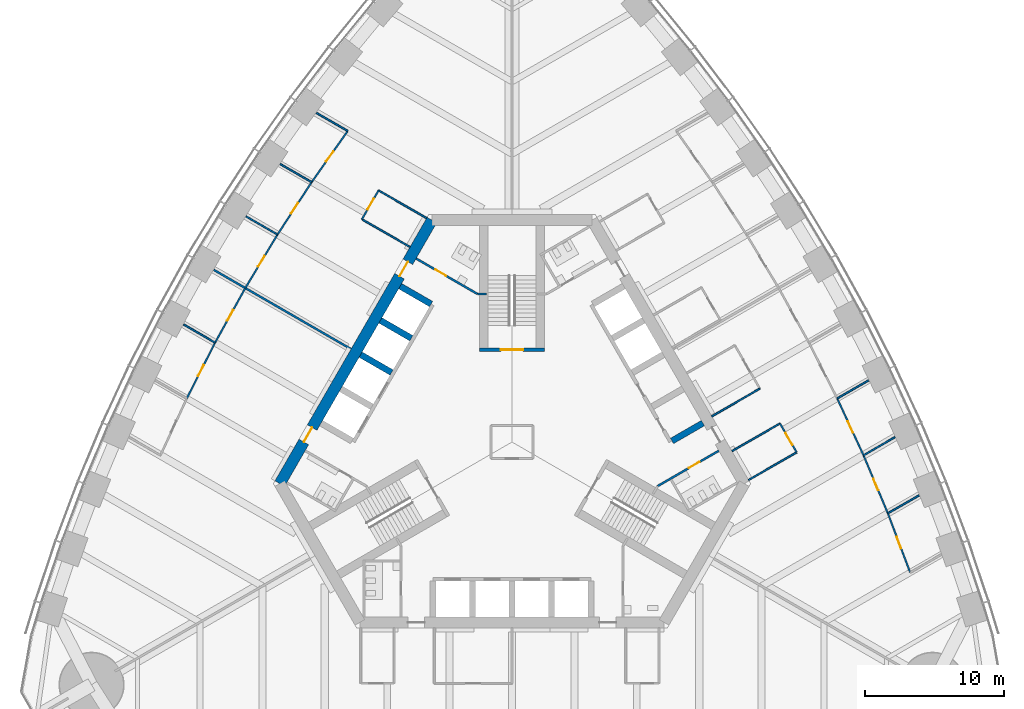
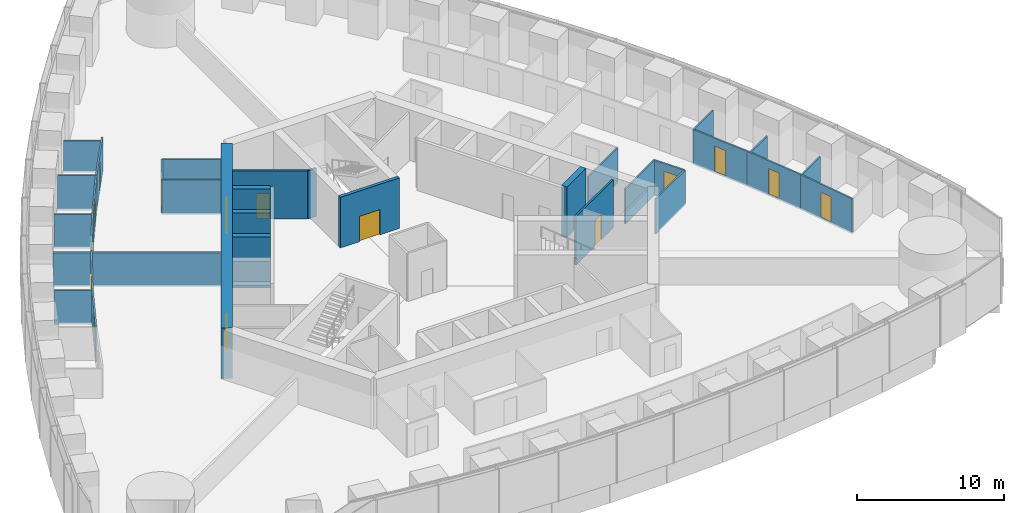
# One storey, part 12 of 19: 32 walls, 15 doors, 15 openings.
"""IFC4 building model written with IfcOpenShell, lengths in metres."""

from ifc_helpers import new_model, si_unit, direction, frame, frame_2d, origin, place, context, subcontext, project, spatial, rectangle, extrude, material, layer, layer_set, type_object, element, fill, save


model = new_model("IFC4")

# Units and contexts
model_context = context("Model", 3, precision=1e-05, world=origin(), true_north=direction((0.0, 1.0)))
body_context = subcontext(model_context, "Body", "Model", "MODEL_VIEW")
ifc_project = project(units=[si_unit("LENGTHUNIT", "METRE"), si_unit("AREAUNIT", "SQUARE_METRE"), si_unit("VOLUMEUNIT", "CUBIC_METRE"), si_unit("PLANEANGLEUNIT", "RADIAN"), si_unit("MASSUNIT", "GRAM", prefix="KILO")], contexts=[model_context])

# Site, building, storey
site_placement = place(None, origin())
site = spatial("IfcSite", under=ifc_project, at=site_placement, CompositionType="ELEMENT")
building_placement = place(site_placement, origin())
building = spatial("IfcBuilding", under=site, at=building_placement, Name="Trefoil Bronze Tower", CompositionType="ELEMENT")
storey_placement = place(building_placement, frame((0.0, 0.0, 107.300048828125)))
storey = spatial("IfcBuildingStorey", under=building, at=storey_placement, Name="L24", CompositionType="ELEMENT", Elevation=107.300048828125)

# Wall, openings, doors
ifc_material_1 = material(Name="Concrete B80", Category="concrete")
ifc_layer_1 = layer(ifc_material_1, 0.800048828125)
ifc_layer_set_1 = layer_set([ifc_layer_1], Name="Core wall 800")
wall_type_1 = type_object("IfcWallType", Name="Core wall 800", PredefinedType="SHEAR", material=ifc_layer_set_1)
wall_1_placement = place(storey_placement, frame((-5.7734375, 16.0, 0.0), z_axis=(0.0, 0.0, 1.0), x_axis=(-0.500002442456, -0.866023993627, 0.0)))
wall_1 = element("IfcWall", 1, at=wall_1_placement, inside=storey, type_object=wall_type_1, Name="Core long wall 3 L24", PredefinedType="SHEAR", context=body_context, shape_type="SweptSolid", body=[
    extrude(rectangle(XDim=21.939453125, YDim=0.800048828125, at=frame_2d((10.9697265625, 0.0))), origin(), (0.0, 0.0, 1.0), 4.199951171875),
])
opening_1_placement = place(wall_1_placement, frame((17.269775390625, 0.0, 0.0)))
opening_1 = element("IfcOpeningElement", 2, at=opening_1_placement, cuts=wall_1, Name="Opening D2", PredefinedType="OPENING", context=body_context, shape_type="SweptSolid", body=[
    extrude(rectangle(XDim=1.199951171875, YDim=2.10009765625, at=frame_2d((0.60009765625, 1.050048828125))), frame((0.0, 0.409912109375, 0.0), z_axis=(0.0, -1.0, 0.0), x_axis=(1.0, 0.0, 0.0)), (0.0, 0.0, 1.0), 0.820068359375),
])
opening_2_placement = place(wall_1_placement, frame((3.4697265625, 0.0, 0.0)))
opening_2 = element("IfcOpeningElement", 3, at=opening_2_placement, cuts=wall_1, Name="Opening D2", PredefinedType="OPENING", context=body_context, shape_type="SweptSolid", body=[
    extrude(rectangle(XDim=1.199951171875, YDim=2.10009765625, at=frame_2d((0.60009765625, 1.050048828125))), frame((0.0, 0.409912109375, 0.0), z_axis=(0.0, -1.0, 0.0), x_axis=(1.0, 0.0, 0.0)), (0.0, 0.0, 1.0), 0.820068359375),
])
ifc_material_2 = material(Name="Steel door", Category="steel")
door_type_1 = type_object("IfcDoorType", Name="Lobby door 1200", OperationType="SINGLE_SWING_RIGHT", PredefinedType="DOOR", material=ifc_material_2)
door_1_placement = place(opening_1_placement, origin())
door_1 = element("IfcDoor", 4, at=door_1_placement, inside=storey, type_object=door_type_1, Name="Lobby door F3+ L24", OperationType="SINGLE_SWING_RIGHT", OverallHeight=2.10009765625, OverallWidth=1.199951171875, PredefinedType="DOOR", context=body_context, shape_type="SweptSolid", body=[
    extrude(rectangle(XDim=1.199951171875, YDim=2.10009765625, at=frame_2d((0.60009765625, 1.050048828125))), frame((0.0, 0.02490234375, 0.0), z_axis=(0.0, -1.0, 0.0), x_axis=(1.0, 0.0, 0.0)), (0.0, 0.0, 1.0), 0.050048828125),
])
fill(opening_1, door_1)
door_2_placement = place(opening_2_placement, origin())
door_2 = element("IfcDoor", 5, at=door_2_placement, inside=storey, type_object=door_type_1, Name="Lobby door F3- L24", OperationType="SINGLE_SWING_LEFT", OverallHeight=2.10009765625, OverallWidth=1.199951171875, PredefinedType="DOOR", context=body_context, shape_type="SweptSolid", body=[
    extrude(rectangle(XDim=1.199951171875, YDim=2.10009765625, at=frame_2d((0.60009765625, 1.050048828125))), frame((0.0, 0.02490234375, 0.0), z_axis=(0.0, -1.0, 0.0), x_axis=(1.0, 0.0, 0.0)), (0.0, 0.0, 1.0), 0.050048828125),
])
fill(opening_2, door_2)

# Wall, opening, door
ifc_material_3 = material(Name="Glazed partition", Category="glass")
ifc_layer_2 = layer(ifc_material_3, 0.1201171875)
ifc_layer_set_2 = layer_set([ifc_layer_2], Name="Glazed partition 120")
wall_type_2 = type_object("IfcWallType", Name="Glazed partition 120", PredefinedType="PARTITIONING", material=ifc_layer_set_2)
wall_2_placement = place(storey_placement, frame((20.518798828125, -0.73974609375, 0.0), z_axis=(0.0, 0.0, 1.0), x_axis=(-0.499957262057, 0.866050077142, 0.0)))
wall_2 = element("IfcWall", 6, at=wall_2_placement, inside=storey, type_object=wall_type_2, Name="Partition F2 L24", PredefinedType="PARTITIONING", context=body_context, shape_type="SweptSolid", body=[
    extrude(rectangle(XDim=2.400146484375, YDim=0.1201171875, at=frame_2d((1.2001953125, 0.0))), origin(), (0.0, 0.0, 1.0), 2.89990234375),
])
opening_3_placement = place(wall_2_placement, frame((0.60009765625, 0.0, 0.14990234375)))
opening_3 = element("IfcOpeningElement", 7, at=opening_3_placement, cuts=wall_2, Name="Opening D9", PredefinedType="OPENING", context=body_context, shape_type="SweptSolid", body=[
    extrude(rectangle(XDim=1.0, YDim=2.10009765625, at=frame_2d((0.5, 1.050048828125))), frame((0.0, 0.070068359375, 0.0), z_axis=(0.0, -1.0, 0.0), x_axis=(1.0, 0.0, 0.0)), (0.0, 0.0, 1.0), 0.14013671875),
])
ifc_material_4 = material(Name="Glazed timber door", Category="wood")
door_type_2 = type_object("IfcDoorType", Name="Meeting room door 1000", OperationType="SINGLE_SWING_LEFT", PredefinedType="DOOR", material=ifc_material_4)
door_3_placement = place(opening_3_placement, origin())
door_3 = element("IfcDoor", 8, at=door_3_placement, inside=storey, type_object=door_type_2, Name="Project room door F2 L24", OperationType="SINGLE_SWING_LEFT", OverallHeight=2.10009765625, OverallWidth=1.0, PredefinedType="DOOR", context=body_context, shape_type="SweptSolid", body=[
    extrude(rectangle(XDim=1.0, YDim=2.10009765625, at=frame_2d((0.5, 1.050048828125))), frame((0.0, 0.02490234375, 0.0), z_axis=(0.0, -1.0, 0.0), x_axis=(1.0, 0.0, 0.0)), (0.0, 0.0, 1.0), 0.050048828125),
])
fill(opening_3, door_3)

# Walls
for number, where, z_axis, x_axis, name in (
    (9, (17.0546875, -2.73974609375, 0.0), (0.0, 0.0, 1.0), (0.866026010844, 0.49999894854, 0.0), "Partition F2 L24"),
    (10, (14.40478515625, 1.850341796875, 0.0), (0.0, 0.0, 1.0), (0.866026010844, 0.49999894854, 0.0), "Partition F2 L24"),
    (11, (15.854736328125, -0.6611328125, 0.0), (0.0, 0.0, 1.0), (0.866026010844, 0.49999894854, 0.0), "Partition F2 L24"),
):
    element("IfcWall", number, at=place(storey_placement, frame(where, z_axis=z_axis, x_axis=x_axis)), inside=storey, type_object=wall_type_2, Name=name, PredefinedType="PARTITIONING", context=body_context, shape_type="SweptSolid", body=[
        extrude(rectangle(XDim=4.0, YDim=0.1201171875, at=frame_2d((2.0, 0.0))), origin(), (0.0, 0.0, 1.0), 2.89990234375),
    ])

# Wall, opening, door
wall_3_placement = place(storey_placement, frame((25.341552734375, -0.95751953125, 0.0), z_axis=(0.0, 0.0, 1.0), x_axis=(-0.419883773418, 0.907577884713, 0.0)))
wall_3 = element("IfcWall", 12, at=wall_3_placement, inside=storey, type_object=wall_type_2, Name="Partition F2 L24", PredefinedType="PARTITIONING", context=body_context, shape_type="SweptSolid", body=[
    extrude(rectangle(XDim=4.5185546875, YDim=0.1201171875, at=frame_2d((2.25927734375, 0.0))), origin(), (0.0, 0.0, 1.0), 2.89990234375),
])
opening_4_placement = place(wall_3_placement, frame((1.800048828125, 0.0, 0.14990234375)))
opening_4 = element("IfcOpeningElement", 13, at=opening_4_placement, cuts=wall_3, Name="Opening D8", PredefinedType="OPENING", context=body_context, shape_type="SweptSolid", body=[
    extrude(rectangle(XDim=0.89990234375, YDim=2.10009765625, at=frame_2d((0.449951171875, 1.050048828125))), frame((0.0, 0.070068359375, 0.0), z_axis=(0.0, -1.0, 0.0), x_axis=(1.0, 0.0, 0.0)), (0.0, 0.0, 1.0), 0.14013671875),
])
ifc_material_5 = material(Name="Timber door", Category="wood")
door_type_3 = type_object("IfcDoorType", Name="Office door 900", OperationType="SINGLE_SWING_LEFT", PredefinedType="DOOR", material=ifc_material_5)
door_4_placement = place(opening_4_placement, frame((0.89990234375, 0.0, 0.0), z_axis=(0.0, 0.0, 1.0), x_axis=(-1.0, 0.0, 0.0)))
door_4 = element("IfcDoor", 14, at=door_4_placement, inside=storey, type_object=door_type_3, Name="Office door F2 L24", OperationType="SINGLE_SWING_RIGHT", OverallHeight=2.10009765625, OverallWidth=0.89990234375, PredefinedType="DOOR", context=body_context, shape_type="SweptSolid", body=[
    extrude(rectangle(XDim=0.89990234375, YDim=2.10009765625, at=frame_2d((0.449951171875, 1.050048828125))), frame((0.0, 0.02490234375, 0.0), z_axis=(0.0, -1.0, 0.0), x_axis=(1.0, 0.0, 0.0)), (0.0, 0.0, 1.0), 0.050048828125),
])
fill(opening_4, door_4)

wall_4_placement = place(storey_placement, frame((27.09619140625, -5.140625, 0.0), z_axis=(0.0, 0.0, 1.0), x_axis=(-0.386807881778, 0.922160323693, 0.0)))
wall_4 = element("IfcWall", 15, at=wall_4_placement, inside=storey, type_object=wall_type_2, Name="Partition F2 L24", PredefinedType="PARTITIONING", context=body_context, shape_type="SweptSolid", body=[
    extrude(rectangle(XDim=4.5361328125, YDim=0.1201171875, at=frame_2d((2.26806640625, 0.0))), origin(), (0.0, 0.0, 1.0), 2.89990234375),
])
opening_5_placement = place(wall_4_placement, frame((1.800048828125, 0.0, 0.14990234375)))
opening_5 = element("IfcOpeningElement", 16, at=opening_5_placement, cuts=wall_4, Name="Opening D8", PredefinedType="OPENING", context=body_context, shape_type="SweptSolid", body=[
    extrude(rectangle(XDim=0.89990234375, YDim=2.10009765625, at=frame_2d((0.449951171875, 1.050048828125))), frame((0.0, 0.070068359375, 0.0), z_axis=(0.0, -1.0, 0.0), x_axis=(1.0, 0.0, 0.0)), (0.0, 0.0, 1.0), 0.14013671875),
])
door_5_placement = place(opening_5_placement, frame((0.89990234375, 0.0, 0.0), z_axis=(0.0, 0.0, 1.0), x_axis=(-1.0, 0.0, 0.0)))
door_5 = element("IfcDoor", 17, at=door_5_placement, inside=storey, type_object=door_type_3, Name="Office door F2 L24", OperationType="SINGLE_SWING_RIGHT", OverallHeight=2.10009765625, OverallWidth=0.89990234375, PredefinedType="DOOR", context=body_context, shape_type="SweptSolid", body=[
    extrude(rectangle(XDim=0.89990234375, YDim=2.10009765625, at=frame_2d((0.449951171875, 1.050048828125))), frame((0.0, 0.02490234375, 0.0), z_axis=(0.0, -1.0, 0.0), x_axis=(1.0, 0.0, 0.0)), (0.0, 0.0, 1.0), 0.050048828125),
])
fill(opening_5, door_5)

wall_5_placement = place(storey_placement, frame((28.70556640625, -9.40771484375, 0.0), z_axis=(0.0, 0.0, 1.0), x_axis=(-0.352894560512, 0.93566309597, 0.0)))
wall_5 = element("IfcWall", 18, at=wall_5_placement, inside=storey, type_object=wall_type_2, Name="Partition F2 L24", PredefinedType="PARTITIONING", context=body_context, shape_type="SweptSolid", body=[
    extrude(rectangle(XDim=4.560546875, YDim=0.1201171875, at=frame_2d((2.2802734375, 0.0))), origin(), (0.0, 0.0, 1.0), 2.89990234375),
])
opening_6_placement = place(wall_5_placement, frame((1.85009765625, 0.0, 0.14990234375)))
opening_6 = element("IfcOpeningElement", 19, at=opening_6_placement, cuts=wall_5, Name="Opening D8", PredefinedType="OPENING", context=body_context, shape_type="SweptSolid", body=[
    extrude(rectangle(XDim=0.89990234375, YDim=2.10009765625, at=frame_2d((0.449951171875, 1.050048828125))), frame((0.0, 0.070068359375, 0.0), z_axis=(0.0, -1.0, 0.0), x_axis=(1.0, 0.0, 0.0)), (0.0, 0.0, 1.0), 0.14013671875),
])
door_6_placement = place(opening_6_placement, frame((0.89990234375, 0.0, 0.0), z_axis=(0.0, 0.0, 1.0), x_axis=(-1.0, 0.0, 0.0)))
door_6 = element("IfcDoor", 20, at=door_6_placement, inside=storey, type_object=door_type_3, Name="Office door F2 L24", OperationType="SINGLE_SWING_LEFT", OverallHeight=2.10009765625, OverallWidth=0.89990234375, PredefinedType="DOOR", context=body_context, shape_type="SweptSolid", body=[
    extrude(rectangle(XDim=0.89990234375, YDim=2.10009765625, at=frame_2d((0.449951171875, 1.050048828125))), frame((0.0, 0.02490234375, 0.0), z_axis=(0.0, -1.0, 0.0), x_axis=(1.0, 0.0, 0.0)), (0.0, 0.0, 1.0), 0.050048828125),
])
fill(opening_6, door_6)

# Walls
wall_6_placement = place(storey_placement, frame((25.341552734375, -0.95751953125, 0.0), z_axis=(0.0, 0.0, 1.0), x_axis=(0.866036074319, 0.499981517636, 0.0)))
element("IfcWall", 21, at=wall_6_placement, inside=storey, type_object=wall_type_2, Name="Partition F2 L24", PredefinedType="PARTITIONING", context=body_context, shape_type="SweptSolid", body=[
    extrude(rectangle(XDim=2.6103515625, YDim=0.1201171875, at=frame_2d((1.30517578125, 0.0))), origin(), (0.0, 0.0, 1.0), 2.599853515625),
])
wall_7_placement = place(storey_placement, frame((27.09619140625, -5.140625, 0.0), z_axis=(0.0, 0.0, 1.0), x_axis=(0.866012205188, 0.500022859943, 0.0)))
element("IfcWall", 22, at=wall_7_placement, inside=storey, type_object=wall_type_2, Name="Partition F2 L24", PredefinedType="PARTITIONING", context=body_context, shape_type="SweptSolid", body=[
    extrude(rectangle(XDim=2.60302734375, YDim=0.1201171875, at=frame_2d((1.301513671875, 0.0))), origin(), (0.0, 0.0, 1.0), 2.800048828125),
])
wall_8_placement = place(storey_placement, frame((23.4443359375, 3.143310546875, 0.0), z_axis=(0.0, 0.0, 1.0), x_axis=(0.866011491631, 0.500024095782, 0.0)))
element("IfcWall", 23, at=wall_8_placement, inside=storey, type_object=wall_type_2, Name="Partition F2 L24", PredefinedType="PARTITIONING", context=body_context, shape_type="SweptSolid", body=[
    extrude(rectangle(XDim=2.615478515625, YDim=0.1201171875, at=frame_2d((1.3076171875, 0.0))), origin(), (0.0, 0.0, 1.0), 2.89990234375),
])

# Wall, opening, door
wall_9_placement = place(storey_placement, frame((-9.618896484375, 18.1396484375, 0.0), z_axis=(0.0, 0.0, 1.0), x_axis=(-0.500001309137, -0.866024647952, 0.0)))
wall_9 = element("IfcWall", 24, at=wall_9_placement, inside=storey, type_object=wall_type_2, Name="Partition F3 L24", PredefinedType="PARTITIONING", context=body_context, shape_type="SweptSolid", body=[
    extrude(rectangle(XDim=2.39990234375, YDim=0.1201171875, at=frame_2d((1.199951171875, 0.0))), origin(), (0.0, 0.0, 1.0), 2.89990234375),
])
opening_7_placement = place(wall_9_placement, frame((0.699951171875, 0.0, 0.14990234375)))
opening_7 = element("IfcOpeningElement", 25, at=opening_7_placement, cuts=wall_9, Name="Opening D8", PredefinedType="OPENING", context=body_context, shape_type="SweptSolid", body=[
    extrude(rectangle(XDim=0.89990234375, YDim=2.10009765625, at=frame_2d((0.449951171875, 1.050048828125))), frame((0.0, 0.070068359375, 0.0), z_axis=(0.0, -1.0, 0.0), x_axis=(1.0, 0.0, 0.0)), (0.0, 0.0, 1.0), 0.14013671875),
])
door_7_placement = place(opening_7_placement, origin())
door_7 = element("IfcDoor", 26, at=door_7_placement, inside=storey, type_object=door_type_3, Name="Comms room door F3 L24", OperationType="SINGLE_SWING_LEFT", OverallHeight=2.10009765625, OverallWidth=0.89990234375, PredefinedType="DOOR", context=body_context, shape_type="SweptSolid", body=[
    extrude(rectangle(XDim=0.89990234375, YDim=2.10009765625, at=frame_2d((0.449951171875, 1.050048828125))), frame((0.0, 0.02490234375, 0.0), z_axis=(0.0, -1.0, 0.0), x_axis=(1.0, 0.0, 0.0)), (0.0, 0.0, 1.0), 0.050048828125),
])
fill(opening_7, door_7)

# Walls
for number, where, z_axis, x_axis, name in (
    (27, (-6.15478515625, 16.1396484375, 0.0), (0.0, 0.0, 1.0), (-0.866026010844, 0.49999894854, 0.0), "Partition F3 L24"),
    (28, (-7.354736328125, 14.061279296875, 0.0), (0.0, 0.0, 1.0), (-0.866026010844, 0.49999894854, 0.0), "Partition F3 L24"),
):
    element("IfcWall", number, at=place(storey_placement, frame(where, z_axis=z_axis, x_axis=x_axis)), inside=storey, type_object=wall_type_2, Name=name, PredefinedType="PARTITIONING", context=body_context, shape_type="SweptSolid", body=[
        extrude(rectangle(XDim=4.0, YDim=0.1201171875, at=frame_2d((2.0, 0.0))), origin(), (0.0, 0.0, 1.0), 2.89990234375),
    ])

# Wall, opening, door
wall_10_placement = place(storey_placement, frame((-19.2255859375, 11.099853515625, 0.0), z_axis=(0.0, 0.0, 1.0), x_axis=(-0.484292898211, -0.874905931368, 0.0)))
wall_10 = element("IfcWall", 29, at=wall_10_placement, inside=storey, type_object=wall_type_2, Name="Partition F3 L24", PredefinedType="PARTITIONING", context=body_context, shape_type="SweptSolid", body=[
    extrude(rectangle(XDim=4.500732421875, YDim=0.1201171875, at=frame_2d((2.25048828125, 0.0))), origin(), (0.0, 0.0, 1.0), 2.89990234375),
])
opening_8_placement = place(wall_10_placement, frame((1.800048828125, 0.0, 0.14990234375)))
opening_8 = element("IfcOpeningElement", 30, at=opening_8_placement, cuts=wall_10, Name="Opening D8", PredefinedType="OPENING", context=body_context, shape_type="SweptSolid", body=[
    extrude(rectangle(XDim=0.89990234375, YDim=2.10009765625, at=frame_2d((0.449951171875, 1.050048828125))), frame((0.0, 0.070068359375, 0.0), z_axis=(0.0, -1.0, 0.0), x_axis=(1.0, 0.0, 0.0)), (0.0, 0.0, 1.0), 0.14013671875),
])
door_8_placement = place(opening_8_placement, frame((0.89990234375, 0.0, 0.0), z_axis=(0.0, 0.0, 1.0), x_axis=(-1.0, 0.0, 0.0)))
door_8 = element("IfcDoor", 31, at=door_8_placement, inside=storey, type_object=door_type_3, Name="Office door F3 L24", OperationType="SINGLE_SWING_RIGHT", OverallHeight=2.10009765625, OverallWidth=0.89990234375, PredefinedType="DOOR", context=body_context, shape_type="SweptSolid", body=[
    extrude(rectangle(XDim=0.89990234375, YDim=2.10009765625, at=frame_2d((0.449951171875, 1.050048828125))), frame((0.0, 0.02490234375, 0.0), z_axis=(0.0, -1.0, 0.0), x_axis=(1.0, 0.0, 0.0)), (0.0, 0.0, 1.0), 0.050048828125),
])
fill(opening_8, door_8)

wall_11_placement = place(storey_placement, frame((-21.4052734375, 7.162109375, 0.0), z_axis=(0.0, 0.0, 1.0), x_axis=(-0.452471679136, -0.891778772779, 0.0)))
wall_11 = element("IfcWall", 32, at=wall_11_placement, inside=storey, type_object=wall_type_2, Name="Partition F3 L24", PredefinedType="PARTITIONING", context=body_context, shape_type="SweptSolid", body=[
    extrude(rectangle(XDim=4.506591796875, YDim=0.1201171875, at=frame_2d((2.25341796875, 0.0))), origin(), (0.0, 0.0, 1.0), 2.89990234375),
])
opening_9_placement = place(wall_11_placement, frame((1.800048828125, 0.0, 0.14990234375)))
opening_9 = element("IfcOpeningElement", 33, at=opening_9_placement, cuts=wall_11, Name="Opening D8", PredefinedType="OPENING", context=body_context, shape_type="SweptSolid", body=[
    extrude(rectangle(XDim=0.89990234375, YDim=2.10009765625, at=frame_2d((0.449951171875, 1.050048828125))), frame((0.0, 0.070068359375, 0.0), z_axis=(0.0, -1.0, 0.0), x_axis=(1.0, 0.0, 0.0)), (0.0, 0.0, 1.0), 0.14013671875),
])
door_9_placement = place(opening_9_placement, frame((0.89990234375, 0.0, 0.0), z_axis=(0.0, 0.0, 1.0), x_axis=(-1.0, 0.0, 0.0)))
door_9 = element("IfcDoor", 34, at=door_9_placement, inside=storey, type_object=door_type_3, Name="Office door F3 L24", OperationType="SINGLE_SWING_RIGHT", OverallHeight=2.10009765625, OverallWidth=0.89990234375, PredefinedType="DOOR", context=body_context, shape_type="SweptSolid", body=[
    extrude(rectangle(XDim=0.89990234375, YDim=2.10009765625, at=frame_2d((0.449951171875, 1.050048828125))), frame((0.0, 0.02490234375, 0.0), z_axis=(0.0, -1.0, 0.0), x_axis=(1.0, 0.0, 0.0)), (0.0, 0.0, 1.0), 0.050048828125),
])
fill(opening_9, door_9)

wall_12_placement = place(storey_placement, frame((-11.841552734375, 22.42529296875, 0.0), z_axis=(0.0, 0.0, 1.0), x_axis=(-0.576023283708, -0.817433285734, 0.0)))
wall_12 = element("IfcWall", 35, at=wall_12_placement, inside=storey, type_object=wall_type_2, Name="Partition F3 L24", PredefinedType="PARTITIONING", context=body_context, shape_type="SweptSolid", body=[
    extrude(rectangle(XDim=4.5185546875, YDim=0.1201171875, at=frame_2d((2.25927734375, 0.0))), origin(), (0.0, 0.0, 1.0), 2.89990234375),
])
opening_10_placement = place(wall_12_placement, frame((1.800048828125, 0.0, 0.14990234375)))
opening_10 = element("IfcOpeningElement", 36, at=opening_10_placement, cuts=wall_12, Name="Opening D8", PredefinedType="OPENING", context=body_context, shape_type="SweptSolid", body=[
    extrude(rectangle(XDim=0.89990234375, YDim=2.10009765625, at=frame_2d((0.449951171875, 1.050048828125))), frame((0.0, 0.070068359375, 0.0), z_axis=(0.0, -1.0, 0.0), x_axis=(1.0, 0.0, 0.0)), (0.0, 0.0, 1.0), 0.14013671875),
])
door_10_placement = place(opening_10_placement, frame((0.89990234375, 0.0, 0.0), z_axis=(0.0, 0.0, 1.0), x_axis=(-1.0, 0.0, 0.0)))
door_10 = element("IfcDoor", 37, at=door_10_placement, inside=storey, type_object=door_type_3, Name="Office door F3 L24", OperationType="SINGLE_SWING_RIGHT", OverallHeight=2.10009765625, OverallWidth=0.89990234375, PredefinedType="DOOR", context=body_context, shape_type="SweptSolid", body=[
    extrude(rectangle(XDim=0.89990234375, YDim=2.10009765625, at=frame_2d((0.449951171875, 1.050048828125))), frame((0.0, 0.02490234375, 0.0), z_axis=(0.0, -1.0, 0.0), x_axis=(1.0, 0.0, 0.0)), (0.0, 0.0, 1.0), 0.050048828125),
])
fill(opening_10, door_10)

wall_13_placement = place(storey_placement, frame((-16.9052734375, 14.956298828125, 0.0), z_axis=(0.0, 0.0, 1.0), x_axis=(-0.515548366618, -0.856860479703, 0.0)))
wall_13 = element("IfcWall", 38, at=wall_13_placement, inside=storey, type_object=wall_type_2, Name="Partition F3 L24", PredefinedType="PARTITIONING", context=body_context, shape_type="SweptSolid", body=[
    extrude(rectangle(XDim=4.500732421875, YDim=0.1201171875, at=frame_2d((2.25048828125, 0.0))), origin(), (0.0, 0.0, 1.0), 2.89990234375),
])
opening_11_placement = place(wall_13_placement, frame((1.800048828125, 0.0, 0.14990234375)))
opening_11 = element("IfcOpeningElement", 39, at=opening_11_placement, cuts=wall_13, Name="Opening D8", PredefinedType="OPENING", context=body_context, shape_type="SweptSolid", body=[
    extrude(rectangle(XDim=0.89990234375, YDim=2.10009765625, at=frame_2d((0.449951171875, 1.050048828125))), frame((0.0, 0.070068359375, 0.0), z_axis=(0.0, -1.0, 0.0), x_axis=(1.0, 0.0, 0.0)), (0.0, 0.0, 1.0), 0.14013671875),
])
door_11_placement = place(opening_11_placement, frame((0.89990234375, 0.0, 0.0), z_axis=(0.0, 0.0, 1.0), x_axis=(-1.0, 0.0, 0.0)))
door_11 = element("IfcDoor", 40, at=door_11_placement, inside=storey, type_object=door_type_3, Name="Office door F3 L24", OperationType="SINGLE_SWING_RIGHT", OverallHeight=2.10009765625, OverallWidth=0.89990234375, PredefinedType="DOOR", context=body_context, shape_type="SweptSolid", body=[
    extrude(rectangle(XDim=0.89990234375, YDim=2.10009765625, at=frame_2d((0.449951171875, 1.050048828125))), frame((0.0, 0.02490234375, 0.0), z_axis=(0.0, -1.0, 0.0), x_axis=(1.0, 0.0, 0.0)), (0.0, 0.0, 1.0), 0.050048828125),
])
fill(opening_11, door_11)

wall_14_placement = place(storey_placement, frame((-14.4443359375, 18.731689453125, 0.0), z_axis=(0.0, 0.0, 1.0), x_axis=(-0.546069464151, -0.837739900161, 0.0)))
wall_14 = element("IfcWall", 41, at=wall_14_placement, inside=storey, type_object=wall_type_2, Name="Partition F3 L24", PredefinedType="PARTITIONING", context=body_context, shape_type="SweptSolid", body=[
    extrude(rectangle(XDim=4.506591796875, YDim=0.1201171875, at=frame_2d((2.25341796875, 0.0))), origin(), (0.0, 0.0, 1.0), 2.89990234375),
])
opening_12_placement = place(wall_14_placement, frame((1.800048828125, 0.0, 0.14990234375)))
opening_12 = element("IfcOpeningElement", 42, at=opening_12_placement, cuts=wall_14, Name="Opening D8", PredefinedType="OPENING", context=body_context, shape_type="SweptSolid", body=[
    extrude(rectangle(XDim=0.89990234375, YDim=2.10009765625, at=frame_2d((0.449951171875, 1.050048828125))), frame((0.0, 0.070068359375, 0.0), z_axis=(0.0, -1.0, 0.0), x_axis=(1.0, 0.0, 0.0)), (0.0, 0.0, 1.0), 0.14013671875),
])
door_12_placement = place(opening_12_placement, frame((0.89990234375, 0.0, 0.0), z_axis=(0.0, 0.0, 1.0), x_axis=(-1.0, 0.0, 0.0)))
door_12 = element("IfcDoor", 43, at=door_12_placement, inside=storey, type_object=door_type_3, Name="Office door F3 L24", OperationType="SINGLE_SWING_RIGHT", OverallHeight=2.10009765625, OverallWidth=0.89990234375, PredefinedType="DOOR", context=body_context, shape_type="SweptSolid", body=[
    extrude(rectangle(XDim=0.89990234375, YDim=2.10009765625, at=frame_2d((0.449951171875, 1.050048828125))), frame((0.0, 0.02490234375, 0.0), z_axis=(0.0, -1.0, 0.0), x_axis=(1.0, 0.0, 0.0)), (0.0, 0.0, 1.0), 0.050048828125),
])
fill(opening_12, door_12)

# Walls
wall_15_placement = place(storey_placement, frame((-21.4052734375, 7.162109375, 0.0), z_axis=(0.0, 0.0, 1.0), x_axis=(-0.866008611403, 0.50002908413, 0.0)))
element("IfcWall", 44, at=wall_15_placement, inside=storey, type_object=wall_type_2, Name="Partition F3 L24", PredefinedType="PARTITIONING", context=body_context, shape_type="SweptSolid", body=[
    extrude(rectangle(XDim=2.618896484375, YDim=0.1201171875, at=frame_2d((1.3095703125, 0.0))), origin(), (0.0, 0.0, 1.0), 2.800048828125),
])
wall_16_placement = place(storey_placement, frame((-11.841552734375, 22.42529296875, 0.0), z_axis=(0.0, 0.0, 1.0), x_axis=(-0.866036074319, 0.499981517636, 0.0)))
element("IfcWall", 45, at=wall_16_placement, inside=storey, type_object=wall_type_2, Name="Partition F3 L24", PredefinedType="PARTITIONING", context=body_context, shape_type="SweptSolid", body=[
    extrude(rectangle(XDim=2.6103515625, YDim=0.1201171875, at=frame_2d((1.30517578125, 0.0))), origin(), (0.0, 0.0, 1.0), 2.599853515625),
])
wall_17_placement = place(storey_placement, frame((-16.9052734375, 14.956298828125, 0.0), z_axis=(0.0, 0.0, 1.0), x_axis=(-0.866008611403, 0.50002908413, 0.0)))
element("IfcWall", 46, at=wall_17_placement, inside=storey, type_object=wall_type_2, Name="Partition F3 L24", PredefinedType="PARTITIONING", context=body_context, shape_type="SweptSolid", body=[
    extrude(rectangle(XDim=2.618896484375, YDim=0.1201171875, at=frame_2d((1.3095703125, 0.0))), origin(), (0.0, 0.0, 1.0), 2.800048828125),
])
wall_18_placement = place(storey_placement, frame((-14.4443359375, 18.731689453125, 0.0), z_axis=(0.0, 0.0, 1.0), x_axis=(-0.866011491631, 0.500024095782, 0.0)))
element("IfcWall", 47, at=wall_18_placement, inside=storey, type_object=wall_type_2, Name="Partition F3 L24", PredefinedType="PARTITIONING", context=body_context, shape_type="SweptSolid", body=[
    extrude(rectangle(XDim=2.615478515625, YDim=0.1201171875, at=frame_2d((1.3076171875, 0.0))), origin(), (0.0, 0.0, 1.0), 2.89990234375),
])
ifc_material_6 = material(Name="Concrete B80", Category="concrete")
ifc_layer_3 = layer(ifc_material_6, 0.449951171875)
ifc_layer_set_3 = layer_set([ifc_layer_3], Name="Outrigger shaft wall 450")
wall_type_3 = type_object("IfcWallType", Name="Outrigger shaft wall 450", PredefinedType="SHEAR", material=ifc_layer_set_3)
wall_19_placement = place(storey_placement, frame((11.531982421875, 0.076171875, 0.0), z_axis=(0.0, 0.0, 1.0), x_axis=(0.866005588531, 0.500034319456, 0.0)))
element("IfcWall", 48, at=wall_19_placement, inside=storey, type_object=wall_type_3, Name="Lift shaft side wall B0 L24", PredefinedType="SHEAR", context=body_context, shape_type="SweptSolid", body=[
    extrude(rectangle(XDim=2.574951171875, YDim=0.449951171875, at=frame_2d((1.28759765625, 0.0))), origin(), (0.0, 0.0, 1.0), 4.199951171875),
])
wall_20_placement = place(storey_placement, frame((-5.831787109375, 9.94873046875, 0.0), z_axis=(0.0, 0.0, 1.0), x_axis=(-0.866029291668, 0.499993265928, 0.0)))
element("IfcWall", 49, at=wall_20_placement, inside=storey, type_object=wall_type_3, Name="Lift shaft side wall C0 L24", PredefinedType="SHEAR", context=body_context, shape_type="SweptSolid", body=[
    extrude(rectangle(XDim=2.5751953125, YDim=0.449951171875, at=frame_2d((1.28759765625, 0.0))), origin(), (0.0, 0.0, 1.0), 4.199951171875),
])
for number, where, z_axis, x_axis, name in (
    (50, (-7.2568359375, 7.480712890625, 0.0), (0.0, 0.0, 1.0), (-0.866046643894, 0.499963209246, 0.0), "Lift shaft side wall C1 L24"),
    (51, (-8.681884765625, 5.012451171875, 0.0), (0.0, 0.0, 1.0), (-0.866005588531, 0.500034319456, 0.0), "Lift shaft side wall C2 L24"),
):
    element("IfcWall", number, at=place(storey_placement, frame(where, z_axis=z_axis, x_axis=x_axis)), inside=storey, type_object=wall_type_3, Name=name, PredefinedType="SHEAR", context=body_context, shape_type="SweptSolid", body=[
        extrude(rectangle(XDim=2.574951171875, YDim=0.449951171875, at=frame_2d((1.28759765625, 0.0))), origin(), (0.0, 0.0, 1.0), 4.199951171875),
    ])

# Wall, opening, door
ifc_material_7 = material(Name="Gypsum board on steel studs", Category="steel")
ifc_layer_4 = layer(ifc_material_7, 0.14990234375)
ifc_layer_set_4 = layer_set([ifc_layer_4], Name="Partition 150")
wall_type_4 = type_object("IfcWallType", Name="Partition 150", PredefinedType="PARTITIONING", material=ifc_layer_set_4)
wall_21_placement = place(storey_placement, frame((10.4951171875, -3.17822265625, 0.0), z_axis=(0.0, 0.0, 1.0), x_axis=(0.86602216432, 0.500005610874, 0.0)))
wall_21 = element("IfcWall", 52, at=wall_21_placement, inside=storey, type_object=wall_type_4, Name="Passage wall F2- L24", PredefinedType="PARTITIONING", context=body_context, shape_type="SweptSolid", body=[
    extrude(rectangle(XDim=5.10009765625, YDim=0.14990234375, at=frame_2d((2.550048828125, 0.0))), origin(), (0.0, 0.0, 1.0), 4.0),
])
opening_13_placement = place(wall_21_placement, frame((2.60009765625, 0.0, 0.0)))
opening_13 = element("IfcOpeningElement", 53, at=opening_13_placement, cuts=wall_21, Name="Opening D3", PredefinedType="OPENING", context=body_context, shape_type="SweptSolid", body=[
    extrude(rectangle(XDim=0.89990234375, YDim=2.10009765625, at=frame_2d((0.449951171875, 1.050048828125))), frame((0.0, 0.0849609375, 0.0), z_axis=(0.0, -1.0, 0.0), x_axis=(1.0, 0.0, 0.0)), (0.0, 0.0, 1.0), 0.169921875),
])
ifc_material_8 = material(Name="Timber door", Category="wood")
door_type_4 = type_object("IfcDoorType", Name="WC door 900", OperationType="SINGLE_SWING_LEFT", PredefinedType="DOOR", material=ifc_material_8)
door_13_placement = place(opening_13_placement, frame((0.89990234375, 0.0, 0.0), z_axis=(0.0, 0.0, 1.0), x_axis=(-1.0, 0.0, 0.0)))
door_13 = element("IfcDoor", 54, at=door_13_placement, inside=storey, type_object=door_type_4, Name="WC (women) door L24", OperationType="SINGLE_SWING_RIGHT", OverallHeight=2.10009765625, OverallWidth=0.89990234375, PredefinedType="DOOR", context=body_context, shape_type="SweptSolid", body=[
    extrude(rectangle(XDim=0.89990234375, YDim=2.10009765625, at=frame_2d((0.449951171875, 1.050048828125))), frame((0.0, 0.02490234375, 0.0), z_axis=(0.0, -1.0, 0.0), x_axis=(1.0, 0.0, 0.0)), (0.0, 0.0, 1.0), 0.050048828125),
])
fill(opening_13, door_13)

wall_22_placement = place(storey_placement, frame((-2.4951171875, 10.67822265625, 0.0), z_axis=(0.0, 0.0, 1.0), x_axis=(-0.86602216432, 0.500005610874, 0.0)))
wall_22 = element("IfcWall", 55, at=wall_22_placement, inside=storey, type_object=wall_type_4, Name="Passage wall F3- L24", PredefinedType="PARTITIONING", context=body_context, shape_type="SweptSolid", body=[
    extrude(rectangle(XDim=5.10009765625, YDim=0.14990234375, at=frame_2d((2.550048828125, 0.0))), origin(), (0.0, 0.0, 1.0), 4.0),
])
opening_14_placement = place(wall_22_placement, frame((2.60009765625, 0.0, 0.0)))
opening_14 = element("IfcOpeningElement", 56, at=opening_14_placement, cuts=wall_22, Name="Opening D3", PredefinedType="OPENING", context=body_context, shape_type="SweptSolid", body=[
    extrude(rectangle(XDim=0.89990234375, YDim=2.10009765625, at=frame_2d((0.449951171875, 1.050048828125))), frame((0.0, 0.0849609375, 0.0), z_axis=(0.0, -1.0, 0.0), x_axis=(1.0, 0.0, 0.0)), (0.0, 0.0, 1.0), 0.169921875),
])
door_14_placement = place(opening_14_placement, frame((0.89990234375, 0.0, 0.0), z_axis=(0.0, 0.0, 1.0), x_axis=(-1.0, 0.0, 0.0)))
door_14 = element("IfcDoor", 57, at=door_14_placement, inside=storey, type_object=door_type_4, Name="WC (women) door L24", OperationType="SINGLE_SWING_LEFT", OverallHeight=2.10009765625, OverallWidth=0.89990234375, PredefinedType="DOOR", context=body_context, shape_type="SweptSolid", body=[
    extrude(rectangle(XDim=0.89990234375, YDim=2.10009765625, at=frame_2d((0.449951171875, 1.050048828125))), frame((0.0, 0.02490234375, 0.0), z_axis=(0.0, -1.0, 0.0), x_axis=(1.0, 0.0, 0.0)), (0.0, 0.0, 1.0), 0.050048828125),
])
fill(opening_14, door_14)

# Walls
wall_23_placement = place(storey_placement, frame((-2.4951171875, 10.67822265625, 0.0), z_axis=(0.0, 0.0, 1.0), x_axis=(1.0, 0.0, 0.0)))
element("IfcWall", 58, at=wall_23_placement, inside=storey, type_object=wall_type_4, Name="WC wall ST2+1 L24", PredefinedType="PARTITIONING", context=body_context, shape_type="SweptSolid", body=[
    extrude(rectangle(XDim=0.64501953125, YDim=0.14990234375, at=frame_2d((0.322509765625, 0.0))), origin(), (0.0, 0.0, 1.0), 4.0),
])
ifc_material_9 = material(Name="Gypsum board on steel studs", Category="steel")
ifc_layer_5 = layer(ifc_material_9, 0.14990234375)
ifc_layer_set_5 = layer_set([ifc_layer_5], Name="Party wall 150")
wall_type_5 = type_object("IfcWallType", Name="Party wall 150", PredefinedType="PARTITIONING", material=ifc_layer_set_5)
wall_24_placement = place(storey_placement, frame((-11.61328125, 6.705078125, 0.0), z_axis=(0.0, 0.0, 1.0), x_axis=(-0.866026306654, 0.499998436182, 0.0)))
element("IfcWall", 59, at=wall_24_placement, inside=storey, type_object=wall_type_5, Name="Demising wall F3 L24", PredefinedType="PARTITIONING", context=body_context, shape_type="SweptSolid", body=[
    extrude(rectangle(XDim=11.40966796875, YDim=0.14990234375, at=frame_2d((5.704833984375, 0.0))), origin(), (0.0, 0.0, 1.0), 2.800048828125),
])

# Wall, opening, door
ifc_material_10 = material(Name="Concrete B80", Category="concrete")
ifc_layer_6 = layer(ifc_material_10, 0.25)
ifc_layer_set_6 = layer_set([ifc_layer_6], Name="Shaft wall 250")
wall_type_6 = type_object("IfcWallType", Name="Shaft wall 250", PredefinedType="SHEAR", material=ifc_layer_set_6)
wall_25_placement = place(storey_placement, frame((2.324951171875, 6.64990234375, 0.0), z_axis=(0.0, 0.0, 1.0), x_axis=(-1.0, 0.0, 0.0)))
wall_25 = element("IfcWall", 60, at=wall_25_placement, inside=storey, type_object=wall_type_6, Name="Stair end wall ST2 L24", PredefinedType="SHEAR", context=body_context, shape_type="SweptSolid", body=[
    extrude(rectangle(XDim=4.64990234375, YDim=0.25, at=frame_2d((2.324951171875, 0.0))), origin(), (0.0, 0.0, 1.0), 4.199951171875),
])
opening_15_placement = place(wall_25_placement, frame((1.52490234375, 0.0, 0.0)))
opening_15 = element("IfcOpeningElement", 61, at=opening_15_placement, cuts=wall_25, Name="Opening D1", PredefinedType="OPENING", context=body_context, shape_type="SweptSolid", body=[
    extrude(rectangle(XDim=1.60009765625, YDim=2.10009765625, at=frame_2d((0.800048828125, 1.050048828125))), frame((0.0, 0.135009765625, 0.0), z_axis=(0.0, -1.0, 0.0), x_axis=(1.0, 0.0, 0.0)), (0.0, 0.0, 1.0), 0.27001953125),
])
ifc_material_11 = material(Name="Steel door", Category="steel")
door_type_5 = type_object("IfcDoorType", Name="Stair door 1600", OperationType="DOUBLE_DOOR_SINGLE_SWING", PredefinedType="DOOR", material=ifc_material_11)
door_15_placement = place(opening_15_placement, frame((1.60009765625, 0.0, 0.0), z_axis=(0.0, 0.0, 1.0), x_axis=(-1.0, 0.0, 0.0)))
door_15 = element("IfcDoor", 62, at=door_15_placement, inside=storey, type_object=door_type_5, Name="Stair door ST2 L24", OperationType="DOUBLE_DOOR_SINGLE_SWING", OverallHeight=2.10009765625, OverallWidth=1.60009765625, PredefinedType="DOOR", context=body_context, shape_type="SweptSolid", body=[
    extrude(rectangle(XDim=1.60009765625, YDim=2.10009765625, at=frame_2d((0.800048828125, 1.050048828125))), frame((0.0, 0.02490234375, 0.0), z_axis=(0.0, -1.0, 0.0), x_axis=(1.0, 0.0, 0.0)), (0.0, 0.0, 1.0), 0.050048828125),
])
fill(opening_15, door_15)

save(model, "model.ifc")
